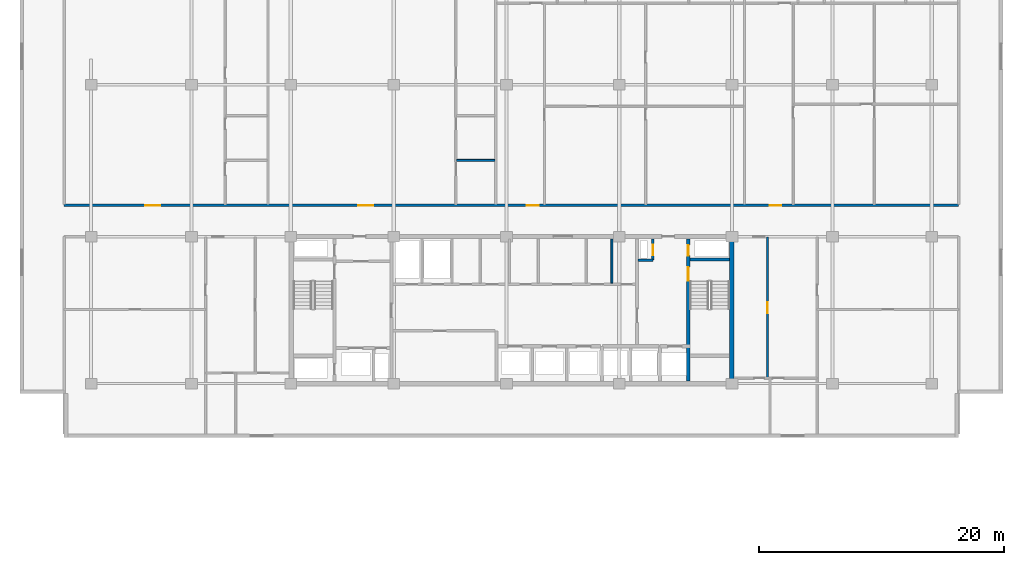
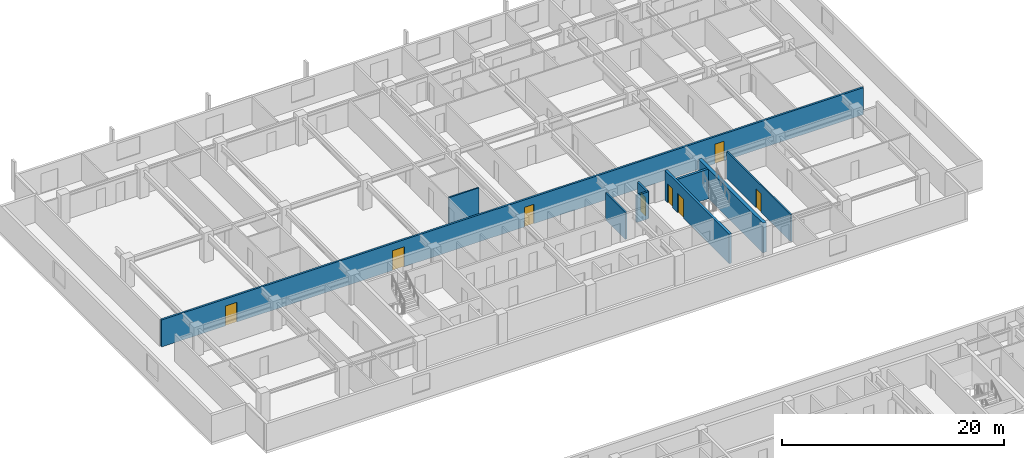
# One storey, part 13 of 22: 9 walls, 8 doors, 8 openings.
"""IFC4 building model written with IfcOpenShell, lengths in metres."""

from ifc_helpers import new_model, si_unit, direction, frame, frame_2d, origin, place, context, subcontext, project, spatial, rectangle, extrude, material, layer, layer_set, type_object, element, fill, save


model = new_model("IFC4")

# Units and contexts
model_context = context("Model", 3, precision=1e-05, world=origin(), true_north=direction((0.0, 1.0)))
body_context = subcontext(model_context, "Body", "Model", "MODEL_VIEW")
ifc_project = project(units=[si_unit("LENGTHUNIT", "METRE"), si_unit("AREAUNIT", "SQUARE_METRE"), si_unit("VOLUMEUNIT", "CUBIC_METRE"), si_unit("PLANEANGLEUNIT", "RADIAN"), si_unit("MASSUNIT", "GRAM", prefix="KILO")], contexts=[model_context])

# Site, building, storey
site_placement = place(None, origin())
site = spatial("IfcSite", under=ifc_project, at=site_placement, CompositionType="ELEMENT")
building_placement = place(site_placement, origin())
building = spatial("IfcBuilding", under=site, at=building_placement, Name="Korimba Cascade Residences", CompositionType="ELEMENT")
storey_placement = place(building_placement, frame((0.0, 0.0, 129.550048828125)))
storey = spatial("IfcBuildingStorey", under=building, at=storey_placement, Name="L37", CompositionType="ELEMENT", Elevation=129.550048828125)

# Wall
ifc_material_1 = material(Name="Concrete C65/80", Category="concrete")
ifc_layer_1 = layer(ifc_material_1, 0.35009765625)
ifc_layer_set_1 = layer_set([ifc_layer_1], Name="Concrete C65/80")
wall_type_1 = type_object("IfcWallType", Name="WAL-CORE-350", PredefinedType="SHEAR", material=ifc_layer_set_1)
wall_1_placement = place(storey_placement, frame((112.074951171875, 55.375, 0.0), z_axis=(0.0, 0.0, 1.0), x_axis=(0.0, 1.0, 0.0)))
element("IfcWall", 1, at=wall_1_placement, inside=storey, type_object=wall_type_1, Name="L37 Core Shear Wall CW-L37-T1-E", PredefinedType="SHEAR", context=body_context, shape_type="SweptSolid", body=[
    extrude(rectangle(XDim=11.64990234375, YDim=0.35009765625, at=frame_2d((5.824951171875, 0.0))), origin(), (0.0, 0.0, 1.0), 3.25),
])

# Wall, openings, doors
ifc_material_2 = material(Name="Precast concrete C40/50", Category="concrete")
ifc_layer_2 = layer(ifc_material_2, 0.199951171875)
ifc_layer_set_2 = layer_set([ifc_layer_2], Name="Precast concrete C40/50")
wall_type_2 = type_object("IfcWallType", Name="WAL-IT-200", PredefinedType="PARTITIONING", material=ifc_layer_set_2)
wall_2_placement = place(storey_placement, frame((57.60009765625, 69.75, 0.0), z_axis=(0.0, 0.0, 1.0), x_axis=(1.0, 0.0, 0.0)))
wall_2 = element("IfcWall", 2, at=wall_2_placement, inside=storey, type_object=wall_type_2, Name="L37 Partition Wall WAL-L37-T1-CORN", PredefinedType="PARTITIONING", context=body_context, shape_type="SweptSolid", body=[
    extrude(rectangle(XDim=73.0, YDim=0.199951171875, at=frame_2d((36.5, 0.0))), origin(), (0.0, 0.0, 1.0), 2.969970703125),
])
opening_1_placement = place(wall_2_placement, frame((6.628662109375, 0.0, 0.0)))
opening_1 = element("IfcOpeningElement", 3, at=opening_1_placement, cuts=wall_2, Name="Opening D-AM1", PredefinedType="OPENING", context=body_context, shape_type="SweptSolid", body=[
    extrude(rectangle(XDim=1.219970703125, YDim=2.179931640625, at=frame_2d((0.60986328125, 1.08984375))), frame((0.0, 0.10986328125, 0.0), z_axis=(0.0, -1.0, 0.0), x_axis=(1.0, 0.0, 0.0)), (0.0, 0.0, 1.0), 0.219970703125),
])
opening_2_placement = place(wall_2_placement, frame((24.022216796875, 0.0, 0.0)))
opening_2 = element("IfcOpeningElement", 4, at=opening_2_placement, cuts=wall_2, Name="Opening D-AM1", PredefinedType="OPENING", context=body_context, shape_type="SweptSolid", body=[
    extrude(rectangle(XDim=1.219970703125, YDim=2.179931640625, at=frame_2d((0.60986328125, 1.08984375))), frame((0.0, 0.10986328125, 0.0), z_axis=(0.0, -1.0, 0.0), x_axis=(1.0, 0.0, 0.0)), (0.0, 0.0, 1.0), 0.219970703125),
])
opening_3_placement = place(wall_2_placement, frame((37.767578125, 0.0, 0.0)))
opening_3 = element("IfcOpeningElement", 5, at=opening_3_placement, cuts=wall_2, Name="Opening D-UN1", PredefinedType="OPENING", context=body_context, shape_type="SweptSolid", body=[
    extrude(rectangle(XDim=0.949951171875, YDim=2.14990234375, at=frame_2d((0.47509765625, 1.074951171875))), frame((0.0, 0.10986328125, 0.0), z_axis=(0.0, -1.0, 0.0), x_axis=(1.0, 0.0, 0.0)), (0.0, 0.0, 1.0), 0.219970703125),
])
opening_4_placement = place(wall_2_placement, frame((57.570068359375, 0.0, 0.0)))
opening_4 = element("IfcOpeningElement", 6, at=opening_4_placement, cuts=wall_2, Name="Opening D-UN1", PredefinedType="OPENING", context=body_context, shape_type="SweptSolid", body=[
    extrude(rectangle(XDim=0.949951171875, YDim=2.14990234375, at=frame_2d((0.47509765625, 1.074951171875))), frame((0.0, 0.10986328125, 0.0), z_axis=(0.0, -1.0, 0.0), x_axis=(1.0, 0.0, 0.0)), (0.0, 0.0, 1.0), 0.219970703125),
])
ifc_material_3 = material(Name="Fire-Rated Glazed Timber Suite Door", Category="wood")
door_type_1 = type_object("IfcDoorType", Name="DR-FD60-1200", OperationType="NOTDEFINED", PredefinedType="DOOR", material=ifc_material_3)
door_1_placement = place(opening_1_placement, origin())
door_1 = element("IfcDoor", 7, at=door_1_placement, inside=storey, type_object=door_type_1, Name="L37-T1-U01 Business Collaboration Office Door", OperationType="SINGLE_SWING_RIGHT", OverallHeight=2.179931640625, OverallWidth=1.219970703125, PredefinedType="DOOR", context=body_context, shape_type="SweptSolid", body=[
    extrude(rectangle(XDim=1.219970703125, YDim=2.179931640625, at=frame_2d((0.60986328125, 1.08984375))), frame((0.0, 0.02490234375, 0.0), z_axis=(0.0, -1.0, 0.0), x_axis=(1.0, 0.0, 0.0)), (0.0, 0.0, 1.0), 0.050048828125),
])
fill(opening_1, door_1)
door_2_placement = place(opening_2_placement, origin())
door_2 = element("IfcDoor", 8, at=door_2_placement, inside=storey, type_object=door_type_1, Name="L37-T1-U02 Resident Conference Room Door", OperationType="SINGLE_SWING_LEFT", OverallHeight=2.179931640625, OverallWidth=1.219970703125, PredefinedType="DOOR", context=body_context, shape_type="SweptSolid", body=[
    extrude(rectangle(XDim=1.219970703125, YDim=2.179931640625, at=frame_2d((0.60986328125, 1.08984375))), frame((0.0, 0.02490234375, 0.0), z_axis=(0.0, -1.0, 0.0), x_axis=(1.0, 0.0, 0.0)), (0.0, 0.0, 1.0), 0.050048828125),
])
fill(opening_2, door_2)
ifc_material_4 = material(Name="Fire-Rated Hardwood Apartment Entrance Door", Category="wood")
door_type_2 = type_object("IfcDoorType", Name="DR-FD60-950", OperationType="NOTDEFINED", PredefinedType="DOOR", material=ifc_material_4)
door_3_placement = place(opening_3_placement, origin())
door_3 = element("IfcDoor", 9, at=door_3_placement, inside=storey, type_object=door_type_2, Name="Unit L37-T1-U03 Entrance Door", OperationType="SINGLE_SWING_RIGHT", OverallHeight=2.14990234375, OverallWidth=0.949951171875, PredefinedType="DOOR", context=body_context, shape_type="SweptSolid", body=[
    extrude(rectangle(XDim=0.949951171875, YDim=2.14990234375, at=frame_2d((0.47509765625, 1.074951171875))), frame((0.0, 0.02490234375, 0.0), z_axis=(0.0, -1.0, 0.0), x_axis=(1.0, 0.0, 0.0)), (0.0, 0.0, 1.0), 0.050048828125),
])
fill(opening_3, door_3)
door_4_placement = place(opening_4_placement, origin())
door_4 = element("IfcDoor", 10, at=door_4_placement, inside=storey, type_object=door_type_2, Name="Unit L37-T1-U04 Entrance Door", OperationType="SINGLE_SWING_LEFT", OverallHeight=2.14990234375, OverallWidth=0.949951171875, PredefinedType="DOOR", context=body_context, shape_type="SweptSolid", body=[
    extrude(rectangle(XDim=0.949951171875, YDim=2.14990234375, at=frame_2d((0.47509765625, 1.074951171875))), frame((0.0, 0.02490234375, 0.0), z_axis=(0.0, -1.0, 0.0), x_axis=(1.0, 0.0, 0.0)), (0.0, 0.0, 1.0), 0.050048828125),
])
fill(opening_4, door_4)

# Wall
ifc_material_5 = material(Name="Insulated Acoustic Stud Partition", Category="gypsum")
ifc_layer_3 = layer(ifc_material_5, 0.14990234375)
ifc_layer_set_3 = layer_set([ifc_layer_3], Name="Insulated Acoustic Stud Partition")
wall_type_3 = type_object("IfcWallType", Name="WAL-PART-150", PredefinedType="PARTITIONING", material=ifc_layer_set_3)
wall_3_placement = place(storey_placement, frame((102.300048828125, 63.39990234375, 0.0), z_axis=(0.0, 0.0, 1.0), x_axis=(0.0, 1.0, 0.0)))
element("IfcWall", 11, at=wall_3_placement, inside=storey, type_object=wall_type_3, Name="L37 Partition Wall CW-L37-T1-CA1E1", PredefinedType="PARTITIONING", context=body_context, shape_type="SweptSolid", body=[
    extrude(rectangle(XDim=3.60009765625, YDim=0.14990234375, at=frame_2d((1.800048828125, 0.0))), origin(), (0.0, 0.0, 1.0), 2.969970703125),
])

# Wall, opening, door
wall_4_placement = place(storey_placement, frame((115.0, 55.64990234375, 0.0), z_axis=(0.0, 0.0, 1.0), x_axis=(0.0, 1.0, 0.0)))
wall_4 = element("IfcWall", 12, at=wall_4_placement, inside=storey, type_object=wall_type_3, Name="L37 Partition Wall WAL-L37-T1-FE-VN", PredefinedType="PARTITIONING", context=body_context, shape_type="SweptSolid", body=[
    extrude(rectangle(XDim=11.5, YDim=0.14990234375, at=frame_2d((5.75, 0.0))), origin(), (0.0, 0.0, 1.0), 2.969970703125),
])
opening_5_placement = place(wall_4_placement, frame((5.2900390625, 0.0, 0.0)))
opening_5 = element("IfcOpeningElement", 13, at=opening_5_placement, cuts=wall_4, Name="Opening D-IN1", PredefinedType="OPENING", context=body_context, shape_type="SweptSolid", body=[
    extrude(rectangle(XDim=0.919921875, YDim=2.080078125, at=frame_2d((0.4599609375, 1.0400390625))), frame((0.0, 0.0849609375, 0.0), z_axis=(0.0, -1.0, 0.0), x_axis=(1.0, 0.0, 0.0)), (0.0, 0.0, 1.0), 0.169921875),
])
ifc_material_6 = material(Name="Acoustic Timber Living Door", Category="wood")
door_type_3 = type_object("IfcDoorType", Name="DR-INT-920", OperationType="NOTDEFINED", PredefinedType="DOOR", material=ifc_material_6)
door_5_placement = place(opening_5_placement, origin())
door_5 = element("IfcDoor", 14, at=door_5_placement, inside=storey, type_object=door_type_3, Name="L37-T1-FE Living Door", OperationType="SINGLE_SWING_RIGHT", OverallHeight=2.080078125, OverallWidth=0.919921875, PredefinedType="DOOR", context=body_context, shape_type="SweptSolid", body=[
    extrude(rectangle(XDim=0.919921875, YDim=2.080078125, at=frame_2d((0.4599609375, 1.0400390625))), frame((0.0, 0.02490234375, 0.0), z_axis=(0.0, -1.0, 0.0), x_axis=(1.0, 0.0, 0.0)), (0.0, 0.0, 1.0), 0.050048828125),
])
fill(opening_5, door_5)

# Walls
wall_5_placement = place(storey_placement, frame((89.62744140625, 73.419921875, 0.0), z_axis=(0.0, 0.0, 1.0), x_axis=(1.0, 0.0, 0.0)))
element("IfcWall", 15, at=wall_5_placement, inside=storey, type_object=wall_type_3, Name="L37 Partition Wall WAL-L37-T1-U02-WCH", PredefinedType="PARTITIONING", context=body_context, shape_type="SweptSolid", body=[
    extrude(rectangle(XDim=3.130126953125, YDim=0.14990234375, at=frame_2d((1.56494140625, 0.0))), origin(), (0.0, 0.0, 1.0), 2.969970703125),
])
ifc_material_7 = material(Name="Concrete C40/50", Category="concrete")
ifc_layer_4 = layer(ifc_material_7, 0.199951171875)
ifc_layer_set_4 = layer_set([ifc_layer_4], Name="Concrete C40/50")
wall_type_4 = type_object("IfcWallType", Name="WAL-PART-200", PredefinedType="PARTITIONING", material=ifc_layer_set_4)
wall_6_placement = place(storey_placement, frame((104.449951171875, 65.280029296875, 0.0), z_axis=(0.0, 0.0, 1.0), x_axis=(1.0, 0.0, 0.0)))
element("IfcWall", 16, at=wall_6_placement, inside=storey, type_object=wall_type_4, Name="L37 Partition Wall CW-L37-T1-HYDW2S", PredefinedType="PARTITIONING", context=body_context, shape_type="SweptSolid", body=[
    extrude(rectangle(XDim=1.199951171875, YDim=0.199951171875, at=frame_2d((0.60009765625, 0.0))), origin(), (0.0, 0.0, 1.0), 2.969970703125),
])

# Wall, opening, door
wall_7_placement = place(storey_placement, frame((105.64990234375, 65.280029296875, 0.0), z_axis=(0.0, 0.0, 1.0), x_axis=(0.0, 1.0, 0.0)))
wall_7 = element("IfcWall", 17, at=wall_7_placement, inside=storey, type_object=wall_type_4, Name="L37 Partition Wall CW-L37-T1-HYDW2E", PredefinedType="PARTITIONING", context=body_context, shape_type="SweptSolid", body=[
    extrude(rectangle(XDim=1.719970703125, YDim=0.199951171875, at=frame_2d((0.85986328125, 0.0))), origin(), (0.0, 0.0, 1.0), 2.969970703125),
])
opening_6_placement = place(wall_7_placement, frame((0.39990234375, 0.0, 0.0)))
opening_6 = element("IfcOpeningElement", 18, at=opening_6_placement, cuts=wall_7, Name="Opening D-RS1", PredefinedType="OPENING", context=body_context, shape_type="SweptSolid", body=[
    extrude(rectangle(XDim=0.85009765625, YDim=2.050048828125, at=frame_2d((0.425048828125, 1.02490234375))), frame((0.0, 0.10986328125, 0.0), z_axis=(0.0, -1.0, 0.0), x_axis=(1.0, 0.0, 0.0)), (0.0, 0.0, 1.0), 0.219970703125),
])
ifc_material_8 = material(Name="Fire-Rated Steel Riser Access Door", Category="steel")
door_type_4 = type_object("IfcDoorType", Name="DR-FD60-850", OperationType="NOTDEFINED", PredefinedType="DOOR", material=ifc_material_8)
door_6_placement = place(opening_6_placement, origin())
door_6 = element("IfcDoor", 19, at=door_6_placement, inside=storey, type_object=door_type_4, Name="L37 East Hydrant Door", OperationType="SINGLE_SWING_RIGHT", OverallHeight=2.050048828125, OverallWidth=0.85009765625, PredefinedType="DOOR", context=body_context, shape_type="SweptSolid", body=[
    extrude(rectangle(XDim=0.85009765625, YDim=2.050048828125, at=frame_2d((0.425048828125, 1.02490234375))), frame((0.0, 0.02490234375, 0.0), z_axis=(0.0, -1.0, 0.0), x_axis=(1.0, 0.0, 0.0)), (0.0, 0.0, 1.0), 0.050048828125),
])
fill(opening_6, door_6)

# Wall, openings, doors
ifc_material_9 = material(Name="Concrete C50/60", Category="concrete")
ifc_layer_5 = layer(ifc_material_9, 0.25)
ifc_layer_set_5 = layer_set([ifc_layer_5], Name="Concrete C50/60")
wall_type_5 = type_object("IfcWallType", Name="WAL-SHAFT-250", PredefinedType="SHEAR", material=ifc_layer_set_5)
wall_8_placement = place(storey_placement, frame((108.534912109375, 55.39990234375, 0.0), z_axis=(0.0, 0.0, 1.0), x_axis=(0.0, 1.0, 0.0)))
wall_8 = element("IfcWall", 20, at=wall_8_placement, inside=storey, type_object=wall_type_5, Name="L37 Core Shear Wall CW-L37-T1-STW2W", PredefinedType="SHEAR", context=body_context, shape_type="SweptSolid", body=[
    extrude(rectangle(XDim=11.60009765625, YDim=0.25, at=frame_2d((5.800048828125, 0.0))), origin(), (0.0, 0.0, 1.0), 3.25),
])
opening_7_placement = place(wall_8_placement, frame((8.199951171875, 0.0, 0.0)))
opening_7 = element("IfcOpeningElement", 21, at=opening_7_placement, cuts=wall_8, Name="Opening D-FD1", PredefinedType="OPENING", context=body_context, shape_type="SweptSolid", body=[
    extrude(rectangle(XDim=1.10009765625, YDim=2.10009765625, at=frame_2d((0.550048828125, 1.050048828125))), frame((0.0, 0.135009765625, 0.0), z_axis=(0.0, -1.0, 0.0), x_axis=(1.0, 0.0, 0.0)), (0.0, 0.0, 1.0), 0.27001953125),
])
opening_8_placement = place(wall_8_placement, frame((10.25, 0.0, 0.0)))
opening_8 = element("IfcOpeningElement", 22, at=opening_8_placement, cuts=wall_8, Name="Opening D-RS1", PredefinedType="OPENING", context=body_context, shape_type="SweptSolid", body=[
    extrude(rectangle(XDim=0.85009765625, YDim=2.050048828125, at=frame_2d((0.425048828125, 1.02490234375))), frame((0.0, 0.135009765625, 0.0), z_axis=(0.0, -1.0, 0.0), x_axis=(1.0, 0.0, 0.0)), (0.0, 0.0, 1.0), 0.27001953125),
])
ifc_material_10 = material(Name="Fire-Rated Steel Core Door", Category="steel")
door_type_5 = type_object("IfcDoorType", Name="DR-FD120-1100", OperationType="NOTDEFINED", PredefinedType="DOOR", material=ifc_material_10)
door_7_placement = place(opening_7_placement, origin())
door_7 = element("IfcDoor", 23, at=door_7_placement, inside=storey, type_object=door_type_5, Name="L37 Fire Stair ST-W2 Door", OperationType="SINGLE_SWING_RIGHT", OverallHeight=2.10009765625, OverallWidth=1.10009765625, PredefinedType="DOOR", context=body_context, shape_type="SweptSolid", body=[
    extrude(rectangle(XDim=1.10009765625, YDim=2.10009765625, at=frame_2d((0.550048828125, 1.050048828125))), frame((0.0, 0.02490234375, 0.0), z_axis=(0.0, -1.0, 0.0), x_axis=(1.0, 0.0, 0.0)), (0.0, 0.0, 1.0), 0.050048828125),
])
fill(opening_7, door_7)
door_8_placement = place(opening_8_placement, origin())
door_8 = element("IfcDoor", 24, at=door_8_placement, inside=storey, type_object=door_type_4, Name="L37 East Riser Door", OperationType="SINGLE_SWING_LEFT", OverallHeight=2.050048828125, OverallWidth=0.85009765625, PredefinedType="DOOR", context=body_context, shape_type="SweptSolid", body=[
    extrude(rectangle(XDim=0.85009765625, YDim=2.050048828125, at=frame_2d((0.425048828125, 1.02490234375))), frame((0.0, 0.02490234375, 0.0), z_axis=(0.0, -1.0, 0.0), x_axis=(1.0, 0.0, 0.0)), (0.0, 0.0, 1.0), 0.050048828125),
])
fill(opening_8, door_8)

# Wall
wall_9_placement = place(storey_placement, frame((108.659912109375, 65.324951171875, 0.0), z_axis=(0.0, 0.0, 1.0), x_axis=(1.0, 0.0, 0.0)))
element("IfcWall", 25, at=wall_9_placement, inside=storey, type_object=wall_type_5, Name="L37 Core Shear Wall CW-L37-T1-STW2N", PredefinedType="SHEAR", context=body_context, shape_type="SweptSolid", body=[
    extrude(rectangle(XDim=3.239990234375, YDim=0.25, at=frame_2d((1.6201171875, 0.0))), origin(), (0.0, 0.0, 1.0), 3.25),
])

save(model, "model.ifc")
